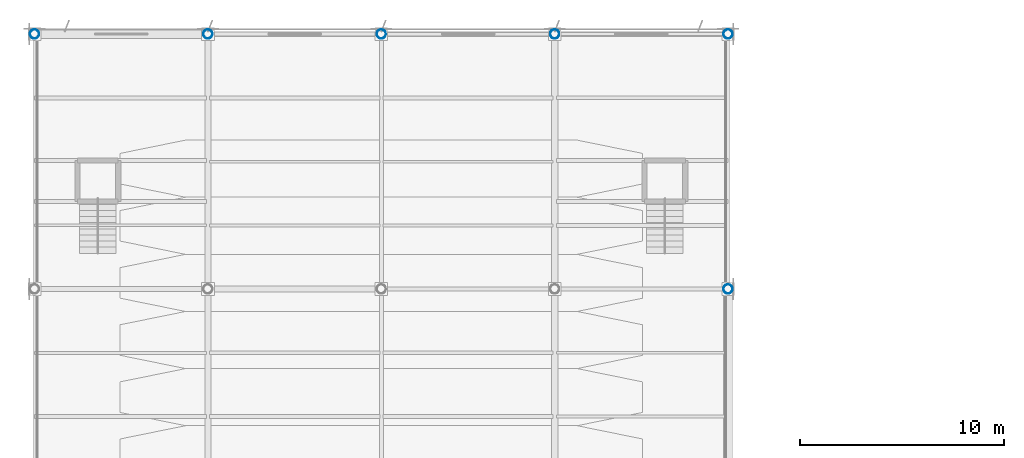
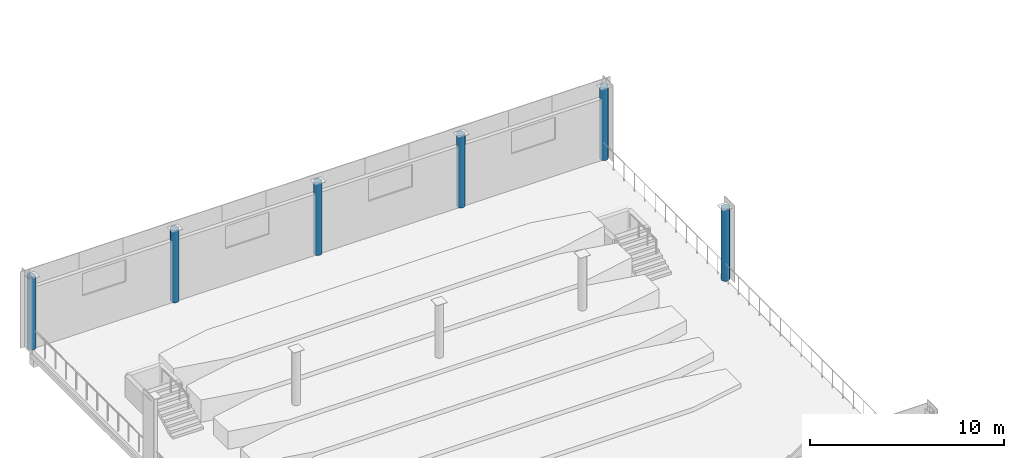
# One storey, part 6 of 86: 6 columns.
"""IFC4 building model written with IfcOpenShell, lengths in metres."""

from ifc_helpers import new_model, si_unit, direction, frame, origin, origin_2d, place, context, subcontext, project, spatial, hollow_circle, extrude, material, material_profile, profile_set, type_object, element, save


model = new_model("IFC4")

# Units and contexts
model_context = context("Model", 3, precision=1e-05, world=origin(), true_north=direction((0.0, 1.0)))
body_context = subcontext(model_context, "Body", "Model", "MODEL_VIEW")
ifc_project = project(units=[si_unit("LENGTHUNIT", "METRE"), si_unit("AREAUNIT", "SQUARE_METRE"), si_unit("VOLUMEUNIT", "CUBIC_METRE"), si_unit("PLANEANGLEUNIT", "RADIAN"), si_unit("MASSUNIT", "GRAM", prefix="KILO")], contexts=[model_context])

# Site, building, storey
site_placement = place(None, origin())
site = spatial("IfcSite", under=ifc_project, at=site_placement, CompositionType="ELEMENT")
building_placement = place(site_placement, origin())
building = spatial("IfcBuilding", under=site, at=building_placement, Name="Solvikara Media Centre", CompositionType="ELEMENT")
storey_placement = place(building_placement, frame((0.0, 0.0, 15.0)))
storey = spatial("IfcBuildingStorey", under=building, at=storey_placement, Name="L03", CompositionType="ELEMENT", Elevation=15.0)

# Columns
ifc_material = material(Name="Steel S355JR", Category="steel")
ifc_material_profile = material_profile(ifc_material, hollow_circle(Radius=0.228515625, WallThickness=0.01611328125, at=origin_2d()), Name="CHS 457x16")
ifc_profile_set = profile_set([ifc_material_profile], Name="Steel S355JR")
column_type = type_object("IfcColumnType", Name="CL-26", PredefinedType="COLUMN", material=ifc_profile_set)
for number, where, z_axis, x_axis, name in (
    (1, (0.0, 114.0, 0.0), (0.0, 0.0, 1.0), (1.0, 0.0, 0.0), "C-L03-0000-1140"),
    (2, (8.5, 114.0, 0.0), (0.0, 0.0, 1.0), (1.0, 0.0, 0.0), "C-L03-0085-1140"),
    (3, (17.0, 114.0, 0.0), (0.0, 0.0, 1.0), (1.0, 0.0, 0.0), "C-L03-0170-1140"),
    (4, (25.5, 114.0, 0.0), (0.0, 0.0, 1.0), (1.0, 0.0, 0.0), "C-L03-0255-1140"),
    (5, (34.0, 101.5, 0.0), (0.0, 0.0, 1.0), (1.0, 0.0, 0.0), "C-L03-0340-1015"),
    (6, (34.0, 114.0, 0.0), (0.0, 0.0, 1.0), (1.0, 0.0, 0.0), "C-L03-0340-1140"),
):
    element("IfcColumn", number, at=place(storey_placement, frame(where, z_axis=z_axis, x_axis=x_axis)), inside=storey, type_object=column_type, Name=name, PredefinedType="COLUMN", context=body_context, shape_type="SweptSolid", body=[
        extrude(hollow_circle(Radius=0.228515625, WallThickness=0.01611328125, at=origin_2d()), origin(), (0.0, 0.0, 1.0), 4.5400390625),
    ])

save(model, "model.ifc")
